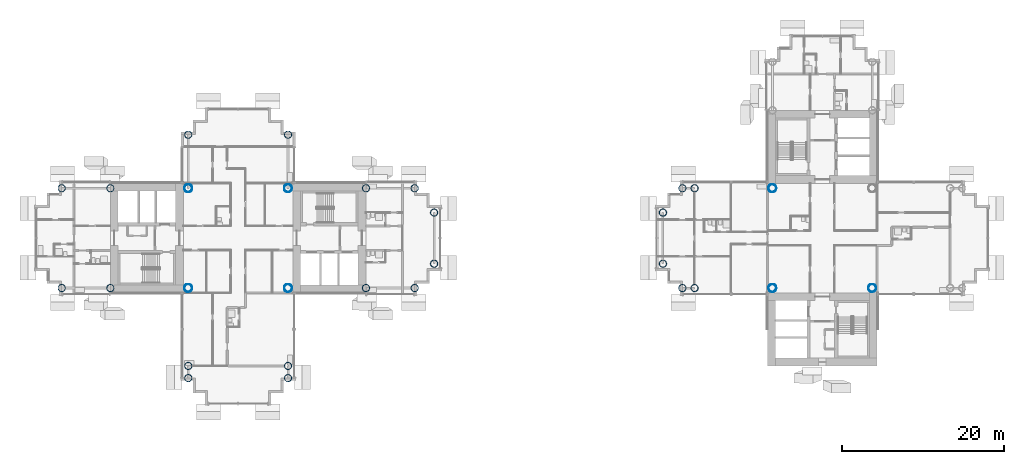
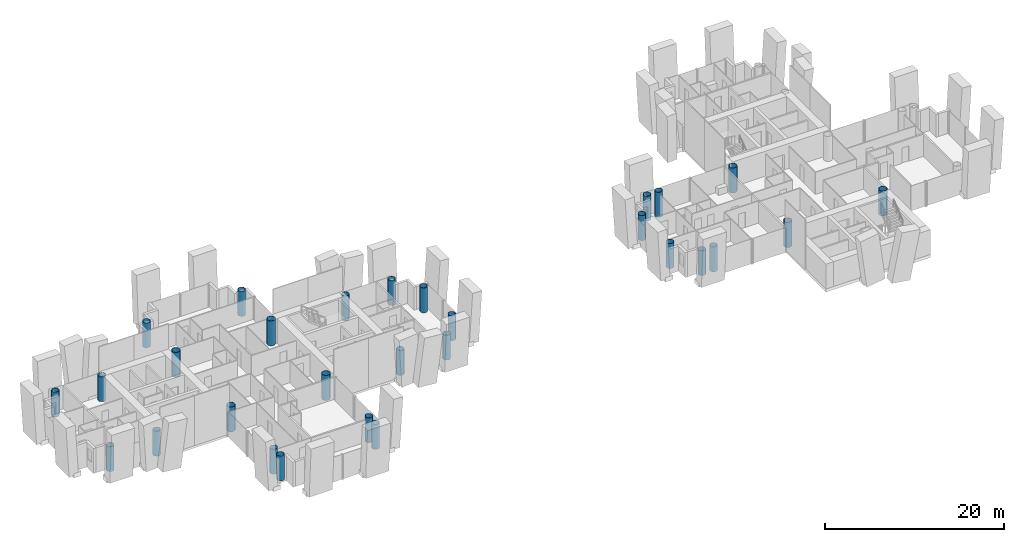
# One storey, part 1 of 21: 29 columns.
"""IFC4 building model written with IfcOpenShell, lengths in metres."""

from ifc_helpers import new_model, si_unit, direction, frame, origin, origin_2d, place, context, subcontext, project, spatial, hollow_circle, extrude, material, material_profile, profile_set, type_object, element, save


model = new_model("IFC4")

# Units and contexts
model_context = context("Model", 3, precision=1e-05, world=origin(), true_north=direction((0.0, 1.0)))
body_context = subcontext(model_context, "Body", "Model", "MODEL_VIEW")
ifc_project = project(units=[si_unit("LENGTHUNIT", "METRE"), si_unit("AREAUNIT", "SQUARE_METRE"), si_unit("VOLUMEUNIT", "CUBIC_METRE"), si_unit("PLANEANGLEUNIT", "RADIAN"), si_unit("MASSUNIT", "GRAM", prefix="KILO")], contexts=[model_context])

# Site, building, storey
site_placement = place(None, origin())
site = spatial("IfcSite", under=ifc_project, at=site_placement, CompositionType="ELEMENT")
building_placement = place(site_placement, origin())
building = spatial("IfcBuilding", under=site, at=building_placement, Name="Ipe Terrace Towers", CompositionType="ELEMENT")
storey_placement = place(building_placement, frame((0.0, 0.0, 107.199951171875)))
storey = spatial("IfcBuildingStorey", under=building, at=storey_placement, Name="L29", CompositionType="ELEMENT", Elevation=107.199951171875)

# Columns
ifc_material_1 = material(Name="Steel S355 tube with Concrete C60/75 fill", Category="concrete")
ifc_material_profile_1 = material_profile(ifc_material_1, hollow_circle(Radius=0.5, WallThickness=0.035888671875, at=origin_2d()), Name="CHS-1000x36")
ifc_profile_set_1 = profile_set([ifc_material_profile_1], Name="Steel S355 tube with Concrete C60/75 fill")
column_type_1 = type_object("IfcColumnType", Name="CH01 COLUMN CHS-1000x36", PredefinedType="COLUMN", material=ifc_profile_set_1)
for number, where, z_axis, x_axis, name in (
    (1, (-42.14990234375, -6.14990234375, 0.0), (0.0, 0.0, 1.0), (1.0, 0.0, 0.0), "Column T1-C-E01"),
    (2, (-29.85009765625, -6.14990234375, 0.0), (0.0, 0.0, 1.0), (1.0, 0.0, 0.0), "Column T1-C-E02"),
    (3, (-29.85009765625, 6.14990234375, 0.0), (0.0, 0.0, 1.0), (1.0, 0.0, 0.0), "Column T1-C-E03"),
    (4, (-42.14990234375, 6.14990234375, 0.0), (0.0, 0.0, 1.0), (1.0, 0.0, 0.0), "Column T1-C-E04"),
    (5, (42.14990234375, -6.14990234375, 0.0), (0.0, 0.0, 1.0), (1.0, 0.0, 0.0), "Column T2-C-E01"),
    (6, (29.85009765625, 6.14990234375, 0.0), (0.0, 0.0, 1.0), (1.0, 0.0, 0.0), "Column T2-C-E03"),
    (7, (29.85009765625, -6.14990234375, 0.0), (0.0, 0.0, 1.0), (1.0, 0.0, 0.0), "Column T2-C-E04"),
):
    element("IfcColumn", number, at=place(storey_placement, frame(where, z_axis=z_axis, x_axis=x_axis)), inside=storey, type_object=column_type_1, Name=name, PredefinedType="COLUMN", context=body_context, shape_type="SweptSolid", body=[
        extrude(hollow_circle(Radius=0.5, WallThickness=0.035888671875, at=origin_2d()), origin(), (0.0, 0.0, 1.0), 3.400146484375),
    ])
ifc_material_2 = material(Name="Steel S355 tube with Concrete C60/75 fill", Category="concrete")
ifc_material_profile_2 = material_profile(ifc_material_2, hollow_circle(Radius=0.449951171875, WallThickness=0.031982421875, at=origin_2d()), Name="CHS-900x32")
ifc_profile_set_2 = profile_set([ifc_material_profile_2], Name="Steel S355 tube with Concrete C60/75 fill")
column_type_2 = type_object("IfcColumnType", Name="CH10 COLUMN CHS-900x32", PredefinedType="COLUMN", material=ifc_profile_set_2)
for number, where, z_axis, x_axis, name in (
    (8, (-20.25, -6.14990234375, 0.0), (0.0, 0.0, 1.0), (1.0, 0.0, 0.0), "Column T1-C-A01"),
    (9, (-20.25, 6.14990234375, 0.0), (0.0, 0.0, 1.0), (1.0, 0.0, 0.0), "Column T1-C-A02"),
    (10, (-14.25, -6.14990234375, 0.0), (0.0, 0.0, 1.0), (1.0, 0.0, 0.0), "Column T1-C-A03"),
    (11, (-14.25, 6.14990234375, 0.0), (0.0, 0.0, 1.0), (1.0, 0.0, 0.0), "Column T1-C-A04"),
    (12, (-11.85009765625, -3.14990234375, 0.0), (0.0, 0.0, 1.0), (1.0, 0.0, 0.0), "Column T1-C-A05"),
    (13, (-11.85009765625, 3.14990234375, 0.0), (0.0, 0.0, 1.0), (1.0, 0.0, 0.0), "Column T1-C-A06"),
    (14, (-29.85009765625, 12.75, 0.0), (0.0, 0.0, 1.0), (1.0, 0.0, 0.0), "Column T1-C-B01"),
    (15, (-42.14990234375, 12.75, 0.0), (0.0, 0.0, 1.0), (1.0, 0.0, 0.0), "Column T1-C-B02"),
    (16, (-51.75, -6.14990234375, 0.0), (0.0, 0.0, 1.0), (1.0, 0.0, 0.0), "Column T1-C-C01"),
    (17, (-51.75, 6.14990234375, 0.0), (0.0, 0.0, 1.0), (1.0, 0.0, 0.0), "Column T1-C-C02"),
    (18, (-57.75, -6.14990234375, 0.0), (0.0, 0.0, 1.0), (1.0, 0.0, 0.0), "Column T1-C-C03"),
    (19, (-57.75, 6.14990234375, 0.0), (0.0, 0.0, 1.0), (1.0, 0.0, 0.0), "Column T1-C-C04"),
    (20, (-42.14990234375, -15.75, 0.0), (0.0, 0.0, 1.0), (1.0, 0.0, 0.0), "Column T1-C-D03"),
    (21, (-29.85009765625, -15.75, 0.0), (0.0, 0.0, 1.0), (1.0, 0.0, 0.0), "Column T1-C-D04"),
    (22, (-42.14990234375, -17.25, 0.0), (0.0, 0.0, 1.0), (1.0, 0.0, 0.0), "Column T1-C-D05"),
    (23, (-29.85009765625, -17.25, 0.0), (0.0, 0.0, 1.0), (1.0, 0.0, 0.0), "Column T1-C-D06"),
    (24, (20.25, 6.14990234375, 0.0), (0.0, 0.0, 1.0), (1.0, 0.0, 0.0), "Column T2-C-B03"),
    (25, (20.25, -6.14990234375, 0.0), (0.0, 0.0, 1.0), (1.0, 0.0, 0.0), "Column T2-C-B04"),
    (26, (18.75, 6.14990234375, 0.0), (0.0, 0.0, 1.0), (1.0, 0.0, 0.0), "Column T2-C-B05"),
    (27, (18.75, -6.14990234375, 0.0), (0.0, 0.0, 1.0), (1.0, 0.0, 0.0), "Column T2-C-B06"),
    (28, (16.35009765625, 3.14990234375, 0.0), (0.0, 0.0, 1.0), (1.0, 0.0, 0.0), "Column T2-C-B07"),
    (29, (16.35009765625, -3.14990234375, 0.0), (0.0, 0.0, 1.0), (1.0, 0.0, 0.0), "Column T2-C-B08"),
):
    element("IfcColumn", number, at=place(storey_placement, frame(where, z_axis=z_axis, x_axis=x_axis)), inside=storey, type_object=column_type_2, Name=name, PredefinedType="COLUMN", context=body_context, shape_type="SweptSolid", body=[
        extrude(hollow_circle(Radius=0.449951171875, WallThickness=0.031982421875, at=origin_2d()), origin(), (0.0, 0.0, 1.0), 3.400146484375),
    ])

save(model, "model.ifc")
